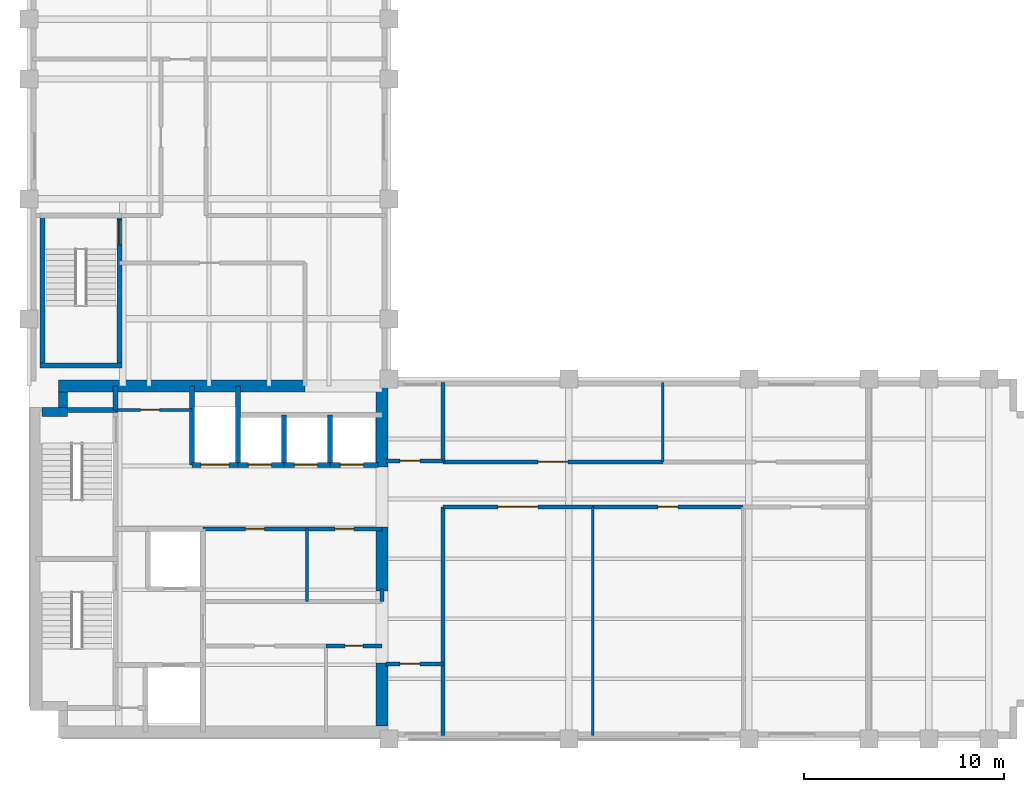
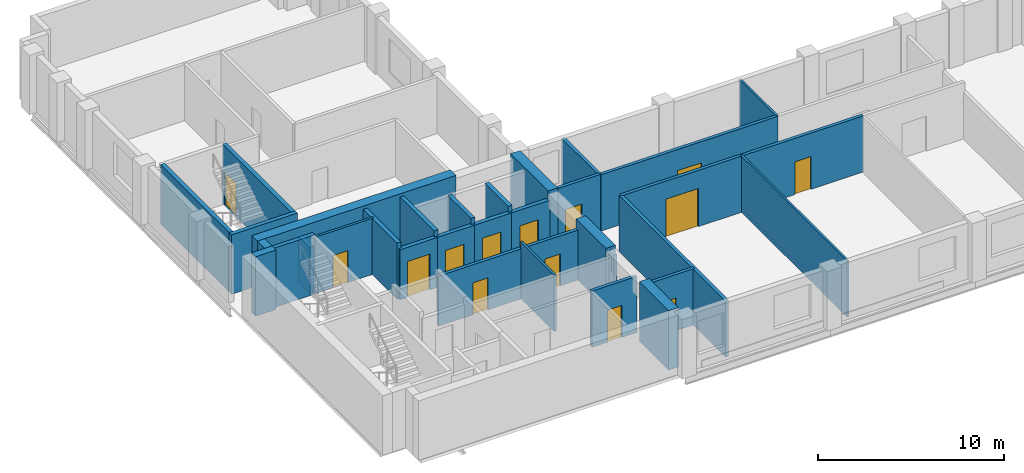
# One storey, part 3 of 6: 34 walls, 14 doors, 14 openings.
"""IFC4 building model written with IfcOpenShell, lengths in metres."""

from ifc_helpers import new_model, si_unit, direction, frame, frame_2d, origin, place, context, subcontext, project, spatial, rectangle, extrude, material, layer, layer_set, type_object, element, fill, save


model = new_model("IFC4")

# Units and contexts
model_context = context("Model", 3, precision=1e-05, world=origin(), true_north=direction((0.0, 1.0)))
body_context = subcontext(model_context, "Body", "Model", "MODEL_VIEW")
ifc_project = project(units=[si_unit("LENGTHUNIT", "METRE"), si_unit("AREAUNIT", "SQUARE_METRE"), si_unit("VOLUMEUNIT", "CUBIC_METRE"), si_unit("PLANEANGLEUNIT", "RADIAN"), si_unit("MASSUNIT", "GRAM", prefix="KILO")], contexts=[model_context])

# Site, building, storey
site_placement = place(None, origin())
site = spatial("IfcSite", under=ifc_project, at=site_placement, CompositionType="ELEMENT")
building_placement = place(site_placement, origin())
building = spatial("IfcBuilding", under=site, at=building_placement, Name="Mawjdan Bourse Tower", CompositionType="ELEMENT")
storey_placement = place(building_placement, frame((0.0, 0.0, 183.89990234375)))
storey = spatial("IfcBuildingStorey", under=building, at=storey_placement, Name="L44", CompositionType="ELEMENT", Elevation=183.89990234375)

# Wall, opening, door
ifc_material_1 = material(Name="Gypsum Fireboard Assembly")
ifc_layer_1 = layer(ifc_material_1, 0.199951171875)
ifc_layer_set_1 = layer_set([ifc_layer_1], Name="Gypsum Fireboard Assembly")
wall_type_1 = type_object("IfcWallType", Name="WL-CMP-200", PredefinedType="PARTITIONING", material=ifc_layer_set_1)
wall_1_placement = place(storey_placement, frame((20.85009765625, 7.659912109375, 0.0), z_axis=(0.0, 0.0, 1.0), x_axis=(1.0, 0.0, 0.0)))
wall_1 = element("IfcWall", 1, at=wall_1_placement, inside=storey, type_object=wall_type_1, Name="L44 Telemetry Control Room North Wall", PredefinedType="PARTITIONING", context=body_context, shape_type="SweptSolid", body=[
    extrude(rectangle(XDim=2.7998046875, YDim=0.199951171875, at=frame_2d((1.39990234375, 0.0))), origin(), (0.0, 0.0, 1.0), 3.690185546875),
])
opening_1_placement = place(wall_1_placement, frame((0.949951171875, 0.0, 0.0)))
opening_1 = element("IfcOpeningElement", 2, at=opening_1_placement, cuts=wall_1, Name="Opening D-L44-14", PredefinedType="OPENING", context=body_context, shape_type="SweptSolid", body=[
    extrude(rectangle(XDim=0.89990234375, YDim=2.10009765625, at=frame_2d((0.449951171875, 1.050048828125))), frame((0.0, 0.10986328125, 0.0), z_axis=(0.0, -1.0, 0.0), x_axis=(1.0, 0.0, 0.0)), (0.0, 0.0, 1.0), 0.219970703125),
])
ifc_material_2 = material(Name="Fire-Rated Steel Access Leaf", Category="steel")
door_type_1 = type_object("IfcDoorType", Name="FD-RSR-0900", OperationType="NOTDEFINED", PredefinedType="TRAPDOOR", material=ifc_material_2)
door_1_placement = place(opening_1_placement, origin())
door_1 = element("IfcDoor", 3, at=door_1_placement, inside=storey, type_object=door_type_1, Name="L44 Telemetry Control Room Door D-L44-14", OperationType="SINGLE_SWING_RIGHT", OverallHeight=2.10009765625, OverallWidth=0.89990234375, PredefinedType="TRAPDOOR", context=body_context, shape_type="SweptSolid", body=[
    extrude(rectangle(XDim=0.89990234375, YDim=2.10009765625, at=frame_2d((0.449951171875, 1.050048828125))), frame((0.0, 0.02490234375, 0.0), z_axis=(0.0, -1.0, 0.0), x_axis=(1.0, 0.0, 0.0)), (0.0, 0.0, 1.0), 0.050048828125),
])
fill(opening_1, door_1)

# Wall
wall_2_placement = place(storey_placement, frame((23.64990234375, 9.8798828125, 0.0), z_axis=(0.0, 0.0, 1.0), x_axis=(0.0, 1.0, 0.0)))
element("IfcWall", 4, at=wall_2_placement, inside=storey, type_object=wall_type_1, Name="L44 Core Restroom East Return", PredefinedType="PARTITIONING", context=body_context, shape_type="SweptSolid", body=[
    extrude(rectangle(XDim=0.6201171875, YDim=0.199951171875, at=frame_2d((0.31005859375, 0.0))), origin(), (0.0, 0.0, 1.0), 3.690185546875),
])

# Wall, opening, door
wall_3_placement = place(storey_placement, frame((14.699951171875, 13.5, 0.0), z_axis=(0.0, 0.0, 1.0), x_axis=(1.0, 0.0, 0.0)))
wall_3 = element("IfcWall", 5, at=wall_3_placement, inside=storey, type_object=wall_type_1, Name="L44 Accessible WC North Wall", PredefinedType="PARTITIONING", context=body_context, shape_type="SweptSolid", body=[
    extrude(rectangle(XDim=5.199951171875, YDim=0.199951171875, at=frame_2d((2.60009765625, 0.0))), origin(), (0.0, 0.0, 1.0), 3.283203125),
])
opening_2_placement = place(wall_3_placement, frame((2.125, 0.0, 0.0)))
opening_2 = element("IfcOpeningElement", 6, at=opening_2_placement, cuts=wall_3, Name="Opening D-L44-15", PredefinedType="OPENING", context=body_context, shape_type="SweptSolid", body=[
    extrude(rectangle(XDim=0.949951171875, YDim=2.10009765625, at=frame_2d((0.47509765625, 1.050048828125))), frame((0.0, 0.10986328125, 0.0), z_axis=(0.0, -1.0, 0.0), x_axis=(1.0, 0.0, 0.0)), (0.0, 0.0, 1.0), 0.219970703125),
])
ifc_material_3 = material(Name="Moisture-Resistant Laminate Timber", Category="wood")
door_type_2 = type_object("IfcDoorType", Name="DR-WET-0950", OperationType="NOTDEFINED", PredefinedType="DOOR", material=ifc_material_3)
door_2_placement = place(opening_2_placement, origin())
door_2 = element("IfcDoor", 7, at=door_2_placement, inside=storey, type_object=door_type_2, Name="L44 Accessible WC Door D-L44-15", OperationType="SINGLE_SWING_LEFT", OverallHeight=2.10009765625, OverallWidth=0.949951171875, PredefinedType="DOOR", context=body_context, shape_type="SweptSolid", body=[
    extrude(rectangle(XDim=0.949951171875, YDim=2.10009765625, at=frame_2d((0.47509765625, 1.050048828125))), frame((0.0, 0.02490234375, 0.0), z_axis=(0.0, -1.0, 0.0), x_axis=(1.0, 0.0, 0.0)), (0.0, 0.0, 1.0), 0.050048828125),
])
fill(opening_2, door_2)

wall_4_placement = place(storey_placement, frame((19.89990234375, 13.5, 0.0), z_axis=(0.0, 0.0, 1.0), x_axis=(1.0, 0.0, 0.0)))
wall_4 = element("IfcWall", 8, at=wall_4_placement, inside=storey, type_object=wall_type_1, Name="L44 Staff Wellness & Quiet Room North Wall", PredefinedType="PARTITIONING", context=body_context, shape_type="SweptSolid", body=[
    extrude(rectangle(XDim=3.75, YDim=0.199951171875, at=frame_2d((1.875, 0.0))), origin(), (0.0, 0.0, 1.0), 3.283203125),
])
opening_3_placement = place(wall_4_placement, frame((1.39990234375, 0.0, 0.0)))
opening_3 = element("IfcOpeningElement", 9, at=opening_3_placement, cuts=wall_4, Name="Opening D-L44-16", PredefinedType="OPENING", context=body_context, shape_type="SweptSolid", body=[
    extrude(rectangle(XDim=0.949951171875, YDim=2.10009765625, at=frame_2d((0.47509765625, 1.050048828125))), frame((0.0, 0.10986328125, 0.0), z_axis=(0.0, -1.0, 0.0), x_axis=(1.0, 0.0, 0.0)), (0.0, 0.0, 1.0), 0.219970703125),
])
door_3_placement = place(opening_3_placement, origin())
door_3 = element("IfcDoor", 10, at=door_3_placement, inside=storey, type_object=door_type_2, Name="L44 Staff Wellness & Quiet Room Door D-L44-16", OperationType="SINGLE_SWING_RIGHT", OverallHeight=2.10009765625, OverallWidth=0.949951171875, PredefinedType="DOOR", context=body_context, shape_type="SweptSolid", body=[
    extrude(rectangle(XDim=0.949951171875, YDim=2.10009765625, at=frame_2d((0.47509765625, 1.050048828125))), frame((0.0, 0.02490234375, 0.0), z_axis=(0.0, -1.0, 0.0), x_axis=(1.0, 0.0, 0.0)), (0.0, 0.0, 1.0), 0.050048828125),
])
fill(opening_3, door_3)

wall_5_placement = place(storey_placement, frame((23.85009765625, 6.75, 0.0), z_axis=(0.0, 0.0, 1.0), x_axis=(1.0, 0.0, 0.0)))
wall_5 = element("IfcWall", 11, at=wall_5_placement, inside=storey, type_object=wall_type_1, Name="L44 West Pocket North Wall", PredefinedType="PARTITIONING", context=body_context, shape_type="SweptSolid", body=[
    extrude(rectangle(XDim=2.849853515625, YDim=0.199951171875, at=frame_2d((1.4248046875, 0.0))), origin(), (0.0, 0.0, 1.0), 3.690185546875),
])
opening_4_placement = place(wall_5_placement, frame((0.699951171875, 0.0, 0.0)))
opening_4 = element("IfcOpeningElement", 12, at=opening_4_placement, cuts=wall_5, Name="Opening D-L44-19", PredefinedType="OPENING", context=body_context, shape_type="SweptSolid", body=[
    extrude(rectangle(XDim=1.0, YDim=2.14990234375, at=frame_2d((0.5, 1.074951171875))), frame((0.0, 0.10986328125, 0.0), z_axis=(0.0, -1.0, 0.0), x_axis=(1.0, 0.0, 0.0)), (0.0, 0.0, 1.0), 0.219970703125),
])
ifc_material_4 = material(Name="Hardwood Acoustic Leaf", Category="wood")
door_type_3 = type_object("IfcDoorType", Name="DR-OFC-1000", OperationType="NOTDEFINED", PredefinedType="DOOR", material=ifc_material_4)
door_4_placement = place(opening_4_placement, origin())
door_4 = element("IfcDoor", 13, at=door_4_placement, inside=storey, type_object=door_type_3, Name="L44 West Pocket Office Door D-L44-19", OperationType="SINGLE_SWING_LEFT", OverallHeight=2.14990234375, OverallWidth=1.0, PredefinedType="DOOR", context=body_context, shape_type="SweptSolid", body=[
    extrude(rectangle(XDim=1.0, YDim=2.14990234375, at=frame_2d((0.5, 1.074951171875))), frame((0.0, 0.02490234375, 0.0), z_axis=(0.0, -1.0, 0.0), x_axis=(1.0, 0.0, 0.0)), (0.0, 0.0, 1.0), 0.050048828125),
])
fill(opening_4, door_4)

wall_6_placement = place(storey_placement, frame((23.85009765625, 16.89990234375, 0.0), z_axis=(0.0, 0.0, 1.0), x_axis=(1.0, 0.0, 0.0)))
wall_6 = element("IfcWall", 14, at=wall_6_placement, inside=storey, type_object=wall_type_1, Name="L44 West North Pocket Wall", PredefinedType="PARTITIONING", context=body_context, shape_type="SweptSolid", body=[
    extrude(rectangle(XDim=2.849853515625, YDim=0.199951171875, at=frame_2d((1.4248046875, 0.0))), origin(), (0.0, 0.0, 1.0), 3.690185546875),
])
opening_5_placement = place(wall_6_placement, frame((0.699951171875, 0.0, 0.0)))
opening_5 = element("IfcOpeningElement", 15, at=opening_5_placement, cuts=wall_6, Name="Opening D-L44-20", PredefinedType="OPENING", context=body_context, shape_type="SweptSolid", body=[
    extrude(rectangle(XDim=1.0, YDim=2.14990234375, at=frame_2d((0.5, 1.074951171875))), frame((0.0, 0.10986328125, 0.0), z_axis=(0.0, -1.0, 0.0), x_axis=(1.0, 0.0, 0.0)), (0.0, 0.0, 1.0), 0.219970703125),
])
door_5_placement = place(opening_5_placement, origin())
door_5 = element("IfcDoor", 16, at=door_5_placement, inside=storey, type_object=door_type_3, Name="L44 West North Pocket Door D-L44-20", OperationType="SINGLE_SWING_RIGHT", OverallHeight=2.14990234375, OverallWidth=1.0, PredefinedType="DOOR", context=body_context, shape_type="SweptSolid", body=[
    extrude(rectangle(XDim=1.0, YDim=2.14990234375, at=frame_2d((0.5, 1.074951171875))), frame((0.0, 0.02490234375, 0.0), z_axis=(0.0, -1.0, 0.0), x_axis=(1.0, 0.0, 0.0)), (0.0, 0.0, 1.0), 0.050048828125),
])
fill(opening_5, door_5)

# Walls
wall_7_placement = place(storey_placement, frame((26.699951171875, 3.179931640625, 0.0), z_axis=(0.0, 0.0, 1.0), x_axis=(0.0, 1.0, 0.0)))
element("IfcWall", 17, at=wall_7_placement, inside=storey, type_object=wall_type_1, Name="L44 Vestibule South East Wall", PredefinedType="PARTITIONING", context=body_context, shape_type="SweptSolid", body=[
    extrude(rectangle(XDim=11.420166015625, YDim=0.199951171875, at=frame_2d((5.7099609375, 0.0))), origin(), (0.0, 0.0, 1.0), 3.690185546875),
])
wall_8_placement = place(storey_placement, frame((26.699951171875, 16.85009765625, 0.0), z_axis=(0.0, 0.0, 1.0), x_axis=(0.0, 1.0, 0.0)))
element("IfcWall", 18, at=wall_8_placement, inside=storey, type_object=wall_type_1, Name="L44 Vestibule North East Wall", PredefinedType="PARTITIONING", context=body_context, shape_type="SweptSolid", body=[
    extrude(rectangle(XDim=3.969970703125, YDim=0.199951171875, at=frame_2d((1.98486328125, 0.0))), origin(), (0.0, 0.0, 1.0), 3.690185546875),
])

# Wall, opening, door
wall_9_placement = place(storey_placement, frame((26.699951171875, 14.60009765625, 0.0), z_axis=(0.0, 0.0, 1.0), x_axis=(1.0, 0.0, 0.0)))
wall_9 = element("IfcWall", 19, at=wall_9_placement, inside=storey, type_object=wall_type_1, Name="L44 Asset Allocation Hall Corridor Wall", PredefinedType="PARTITIONING", context=body_context, shape_type="SweptSolid", body=[
    extrude(rectangle(XDim=7.5, YDim=0.199951171875, at=frame_2d((3.75, 0.0))), origin(), (0.0, 0.0, 1.0), 3.690185546875),
])
opening_6_placement = place(wall_9_placement, frame((2.75, 0.0, 0.0)))
opening_6 = element("IfcOpeningElement", 20, at=opening_6_placement, cuts=wall_9, Name="Opening D-L44-21", PredefinedType="OPENING", context=body_context, shape_type="SweptSolid", body=[
    extrude(rectangle(XDim=2.0, YDim=2.5, at=frame_2d((1.0, 1.25))), frame((0.0, 0.10986328125, 0.0), z_axis=(0.0, -1.0, 0.0), x_axis=(1.0, 0.0, 0.0)), (0.0, 0.0, 1.0), 0.219970703125),
])
ifc_material_5 = material(Name="Acoustic Veneered Timber", Category="wood")
door_type_4 = type_object("IfcDoorType", Name="DR-ASM-2000", OperationType="DOUBLE_DOOR_SINGLE_SWING", PredefinedType="DOOR", material=ifc_material_5)
door_6_placement = place(opening_6_placement, origin())
door_6 = element("IfcDoor", 21, at=door_6_placement, inside=storey, type_object=door_type_4, Name="L44 Asset Allocation Hall Door D-L44-21", OperationType="DOUBLE_DOOR_SINGLE_SWING", OverallHeight=2.5, OverallWidth=2.0, PredefinedType="DOOR", context=body_context, shape_type="SweptSolid", body=[
    extrude(rectangle(XDim=2.0, YDim=2.5, at=frame_2d((1.0, 1.25))), frame((0.0, 0.02490234375, 0.0), z_axis=(0.0, -1.0, 0.0), x_axis=(1.0, 0.0, 0.0)), (0.0, 0.0, 1.0), 0.050048828125),
])
fill(opening_6, door_6)

wall_10_placement = place(storey_placement, frame((34.199951171875, 14.60009765625, 0.0), z_axis=(0.0, 0.0, 1.0), x_axis=(1.0, 0.0, 0.0)))
wall_10 = element("IfcWall", 22, at=wall_10_placement, inside=storey, type_object=wall_type_1, Name="L44 Executive Office Corridor Wall", PredefinedType="PARTITIONING", context=body_context, shape_type="SweptSolid", body=[
    extrude(rectangle(XDim=7.5, YDim=0.199951171875, at=frame_2d((3.75, 0.0))), origin(), (0.0, 0.0, 1.0), 3.690185546875),
])
opening_7_placement = place(wall_10_placement, frame((3.25, 0.0, 0.0)))
opening_7 = element("IfcOpeningElement", 23, at=opening_7_placement, cuts=wall_10, Name="Opening D-L44-22", PredefinedType="OPENING", context=body_context, shape_type="SweptSolid", body=[
    extrude(rectangle(XDim=1.0, YDim=2.14990234375, at=frame_2d((0.5, 1.074951171875))), frame((0.0, 0.10986328125, 0.0), z_axis=(0.0, -1.0, 0.0), x_axis=(1.0, 0.0, 0.0)), (0.0, 0.0, 1.0), 0.219970703125),
])
door_7_placement = place(opening_7_placement, origin())
door_7 = element("IfcDoor", 24, at=door_7_placement, inside=storey, type_object=door_type_3, Name="L44 Executive Office Door D-L44-22", OperationType="SINGLE_SWING_LEFT", OverallHeight=2.14990234375, OverallWidth=1.0, PredefinedType="DOOR", context=body_context, shape_type="SweptSolid", body=[
    extrude(rectangle(XDim=1.0, YDim=2.14990234375, at=frame_2d((0.5, 1.074951171875))), frame((0.0, 0.02490234375, 0.0), z_axis=(0.0, -1.0, 0.0), x_axis=(1.0, 0.0, 0.0)), (0.0, 0.0, 1.0), 0.050048828125),
])
fill(opening_7, door_7)

wall_11_placement = place(storey_placement, frame((26.699951171875, 16.85009765625, 0.0), z_axis=(0.0, 0.0, 1.0), x_axis=(1.0, 0.0, 0.0)))
wall_11 = element("IfcWall", 25, at=wall_11_placement, inside=storey, type_object=wall_type_1, Name="L44 Conference Room Corridor Wall", PredefinedType="PARTITIONING", context=body_context, shape_type="SweptSolid", body=[
    extrude(rectangle(XDim=11.0, YDim=0.199951171875, at=frame_2d((5.5, 0.0))), origin(), (0.0, 0.0, 1.0), 3.690185546875),
])
opening_8_placement = place(wall_11_placement, frame((4.75, 0.0, 0.0)))
opening_8 = element("IfcOpeningElement", 26, at=opening_8_placement, cuts=wall_11, Name="Opening D-L44-24", PredefinedType="OPENING", context=body_context, shape_type="SweptSolid", body=[
    extrude(rectangle(XDim=1.5, YDim=2.300048828125, at=frame_2d((0.75, 1.14990234375))), frame((0.0, 0.10986328125, 0.0), z_axis=(0.0, -1.0, 0.0), x_axis=(1.0, 0.0, 0.0)), (0.0, 0.0, 1.0), 0.219970703125),
])
ifc_material_6 = material(Name="Acoustic Glazed Timber", Category="wood")
door_type_5 = type_object("IfcDoorType", Name="DR-CNF-1500", OperationType="DOUBLE_DOOR_SINGLE_SWING", PredefinedType="DOOR", material=ifc_material_6)
door_8_placement = place(opening_8_placement, origin())
door_8 = element("IfcDoor", 27, at=door_8_placement, inside=storey, type_object=door_type_5, Name="L44 Conference Room Door D-L44-24", OperationType="DOUBLE_DOOR_SINGLE_SWING", OverallHeight=2.300048828125, OverallWidth=1.5, PredefinedType="DOOR", context=body_context, shape_type="SweptSolid", body=[
    extrude(rectangle(XDim=1.5, YDim=2.300048828125, at=frame_2d((0.75, 1.14990234375))), frame((0.0, 0.02490234375, 0.0), z_axis=(0.0, -1.0, 0.0), x_axis=(1.0, 0.0, 0.0)), (0.0, 0.0, 1.0), 0.050048828125),
])
fill(opening_8, door_8)

# Walls
ifc_material_7 = material(Name="Concrete C60/75", Category="concrete")
ifc_layer_2 = layer(ifc_material_7, 0.449951171875)
ifc_layer_set_2 = layer_set([ifc_layer_2], Name="Concrete C60/75")
wall_type_2 = type_object("IfcWallType", Name="WL-CORE-450", PredefinedType="SHEAR", material=ifc_layer_set_2)
wall_12_placement = place(storey_placement, frame((6.64990234375, 19.35009765625, 0.0), z_axis=(0.0, 0.0, 1.0), x_axis=(1.0, 0.0, 0.0)))
element("IfcWall", 28, at=wall_12_placement, inside=storey, type_object=wall_type_2, Name="L44 Rear Core Shear Wall NW-X", PredefinedType="SHEAR", context=body_context, shape_type="SweptSolid", body=[
    extrude(rectangle(XDim=1.275146484375, YDim=0.449951171875, at=frame_2d((0.6376953125, 0.0))), origin(), (0.0, 0.0, 1.0), 3.900146484375),
])
wall_13_placement = place(storey_placement, frame((7.699951171875, 19.574951171875, 0.0), z_axis=(0.0, 0.0, 1.0), x_axis=(0.0, 1.0, 0.0)))
element("IfcWall", 29, at=wall_13_placement, inside=storey, type_object=wall_type_2, Name="L44 Rear Core Shear Wall NW-Y", PredefinedType="SHEAR", context=body_context, shape_type="SweptSolid", body=[
    extrude(rectangle(XDim=0.775146484375, YDim=0.449951171875, at=frame_2d((0.3876953125, 0.0))), origin(), (0.0, 0.0, 1.0), 3.900146484375),
])
ifc_material_8 = material(Name="Concrete C70/85", Category="concrete")
ifc_layer_3 = layer(ifc_material_8, 0.60009765625)
ifc_layer_set_3 = layer_set([ifc_layer_3], Name="Concrete C70/85")
wall_type_3 = type_object("IfcWallType", Name="WL-CORE-600", PredefinedType="SHEAR", material=ifc_layer_set_3)
wall_14_placement = place(storey_placement, frame((7.47509765625, 20.64990234375, 0.0), z_axis=(0.0, 0.0, 1.0), x_axis=(1.0, 0.0, 0.0)))
element("IfcWall", 30, at=wall_14_placement, inside=storey, type_object=wall_type_3, Name="L44 Rear Core Shear Wall N", PredefinedType="SHEAR", context=body_context, shape_type="SweptSolid", body=[
    extrude(rectangle(XDim=12.324951171875, YDim=0.60009765625, at=frame_2d((6.16259765625, 0.0))), origin(), (0.0, 0.0, 1.0), 3.900146484375),
])
wall_15_placement = place(storey_placement, frame((23.64990234375, 3.64990234375, 0.0), z_axis=(0.0, 0.0, 1.0), x_axis=(0.0, 1.0, 0.0)))
element("IfcWall", 31, at=wall_15_placement, inside=storey, type_object=wall_type_3, Name="L44 Rear Core Shear Wall E1", PredefinedType="SHEAR", context=body_context, shape_type="SweptSolid", body=[
    extrude(rectangle(XDim=3.150146484375, YDim=0.60009765625, at=frame_2d((1.5751953125, 0.0))), origin(), (0.0, 0.0, 1.0), 3.900146484375),
])
wall_16_placement = place(storey_placement, frame((23.64990234375, 10.39990234375, 0.0), z_axis=(0.0, 0.0, 1.0), x_axis=(0.0, 1.0, 0.0)))
element("IfcWall", 32, at=wall_16_placement, inside=storey, type_object=wall_type_3, Name="L44 Rear Core Shear Wall E2", PredefinedType="SHEAR", context=body_context, shape_type="SweptSolid", body=[
    extrude(rectangle(XDim=3.2001953125, YDim=0.60009765625, at=frame_2d((1.60009765625, 0.0))), origin(), (0.0, 0.0, 1.0), 3.900146484375),
])
wall_17_placement = place(storey_placement, frame((23.64990234375, 16.60009765625, 0.0), z_axis=(0.0, 0.0, 1.0), x_axis=(0.0, 1.0, 0.0)))
element("IfcWall", 33, at=wall_17_placement, inside=storey, type_object=wall_type_3, Name="L44 Rear Core Shear Wall E3", PredefinedType="SHEAR", context=body_context, shape_type="SweptSolid", body=[
    extrude(rectangle(XDim=4.0498046875, YDim=0.60009765625, at=frame_2d((2.02490234375, 0.0))), origin(), (0.0, 0.0, 1.0), 3.900146484375),
])
ifc_material_9 = material(Name="Gypsum Partition")
ifc_layer_4 = layer(ifc_material_9, 0.125)
ifc_layer_set_4 = layer_set([ifc_layer_4], Name="Gypsum Partition")
wall_type_4 = type_object("IfcWallType", Name="WL-PRT-125", PredefinedType="PARTITIONING", material=ifc_layer_set_4)
wall_18_placement = place(storey_placement, frame((34.199951171875, 3.179931640625, 0.0), z_axis=(0.0, 0.0, 1.0), x_axis=(0.0, 1.0, 0.0)))
element("IfcWall", 34, at=wall_18_placement, inside=storey, type_object=wall_type_4, Name="L44 Executive Office Partition", PredefinedType="PARTITIONING", context=body_context, shape_type="SweptSolid", body=[
    extrude(rectangle(XDim=11.420166015625, YDim=0.125, at=frame_2d((5.7099609375, 0.0))), origin(), (0.0, 0.0, 1.0), 3.690185546875),
])
wall_19_placement = place(storey_placement, frame((37.699951171875, 16.85009765625, 0.0), z_axis=(0.0, 0.0, 1.0), x_axis=(0.0, 1.0, 0.0)))
element("IfcWall", 35, at=wall_19_placement, inside=storey, type_object=wall_type_4, Name="L44 Legal Counsel Library Partition", PredefinedType="PARTITIONING", context=body_context, shape_type="SweptSolid", body=[
    extrude(rectangle(XDim=3.969970703125, YDim=0.125, at=frame_2d((1.98486328125, 0.0))), origin(), (0.0, 0.0, 1.0), 3.690185546875),
])
ifc_material_10 = material(Name="Gypsum Acoustic Partition")
ifc_layer_5 = layer(ifc_material_10, 0.14990234375)
ifc_layer_set_5 = layer_set([ifc_layer_5], Name="Gypsum Acoustic Partition")
wall_type_5 = type_object("IfcWallType", Name="WL-PRT-150", PredefinedType="PARTITIONING", material=ifc_layer_set_5)
wall_20_placement = place(storey_placement, frame((19.89990234375, 9.8798828125, 0.0), z_axis=(0.0, 0.0, 1.0), x_axis=(0.0, 1.0, 0.0)))
element("IfcWall", 36, at=wall_20_placement, inside=storey, type_object=wall_type_5, Name="L44 Staff Wellness & Quiet Room Split Wall", PredefinedType="PARTITIONING", context=body_context, shape_type="SweptSolid", body=[
    extrude(rectangle(XDim=3.6201171875, YDim=0.14990234375, at=frame_2d((1.81005859375, 0.0))), origin(), (0.0, 0.0, 1.0), 3.690185546875),
])

# Wall, opening, door
wall_21_placement = place(storey_placement, frame((10.330078125, 19.449951171875, 0.0), z_axis=(0.0, 0.0, 1.0), x_axis=(1.0, 0.0, 0.0)))
wall_21 = element("IfcWall", 37, at=wall_21_placement, inside=storey, type_object=wall_type_5, Name="L44 Housekeeping South Wall", PredefinedType="PARTITIONING", context=body_context, shape_type="SweptSolid", body=[
    extrude(rectangle(XDim=3.81982421875, YDim=0.14990234375, at=frame_2d((1.909912109375, 0.0))), origin(), (0.0, 0.0, 1.0), 3.690185546875),
])
opening_9_placement = place(wall_21_placement, frame((1.25, 0.0, 0.0)))
opening_9 = element("IfcOpeningElement", 38, at=opening_9_placement, cuts=wall_21, Name="Opening D-L44-17", PredefinedType="OPENING", context=body_context, shape_type="SweptSolid", body=[
    extrude(rectangle(XDim=0.949951171875, YDim=2.10009765625, at=frame_2d((0.47509765625, 1.050048828125))), frame((0.0, 0.0849609375, 0.0), z_axis=(0.0, -1.0, 0.0), x_axis=(1.0, 0.0, 0.0)), (0.0, 0.0, 1.0), 0.169921875),
])
door_9_placement = place(opening_9_placement, origin())
door_9 = element("IfcDoor", 39, at=door_9_placement, inside=storey, type_object=door_type_2, Name="L44 Housekeeping Closet Door D-L44-17", OperationType="SINGLE_SWING_LEFT", OverallHeight=2.10009765625, OverallWidth=0.949951171875, PredefinedType="DOOR", context=body_context, shape_type="SweptSolid", body=[
    extrude(rectangle(XDim=0.949951171875, YDim=2.10009765625, at=frame_2d((0.47509765625, 1.050048828125))), frame((0.0, 0.02490234375, 0.0), z_axis=(0.0, -1.0, 0.0), x_axis=(1.0, 0.0, 0.0)), (0.0, 0.0, 1.0), 0.050048828125),
])
fill(opening_9, door_9)

# Wall
ifc_material_11 = material(Name="Concrete C50/60", Category="concrete")
ifc_layer_6 = layer(ifc_material_11, 0.25)
ifc_layer_set_6 = layer_set([ifc_layer_6], Name="Concrete C50/60")
wall_type_6 = type_object("IfcWallType", Name="WL-SHFT-250", PredefinedType="PARTITIONING", material=ifc_layer_set_6)
wall_22_placement = place(storey_placement, frame((10.330078125, 19.449951171875, 0.0), z_axis=(0.0, 0.0, 1.0), x_axis=(0.0, 1.0, 0.0)))
element("IfcWall", 40, at=wall_22_placement, inside=storey, type_object=wall_type_6, Name="L44 NW Riser East Wall", PredefinedType="PARTITIONING", context=body_context, shape_type="SweptSolid", body=[
    extrude(rectangle(XDim=1.199951171875, YDim=0.25, at=frame_2d((0.60009765625, 0.0))), origin(), (0.0, 0.0, 1.0), 3.072998046875),
])

# Wall, opening, door
wall_23_placement = place(storey_placement, frame((14.14990234375, 16.699951171875, 0.0), z_axis=(0.0, 0.0, 1.0), x_axis=(1.0, 0.0, 0.0)))
wall_23 = element("IfcWall", 41, at=wall_23_placement, inside=storey, type_object=wall_type_6, Name="L44 SVL-01 Front Shaft Wall", PredefinedType="PARTITIONING", context=body_context, shape_type="SweptSolid", body=[
    extrude(rectangle(XDim=2.300048828125, YDim=0.25, at=frame_2d((1.14990234375, 0.0))), origin(), (0.0, 0.0, 1.0), 3.283203125),
])
opening_10_placement = place(wall_23_placement, frame((0.449951171875, 0.0, 0.0)))
opening_10 = element("IfcOpeningElement", 42, at=opening_10_placement, cuts=wall_23, Name="Opening LD-L44-09", PredefinedType="OPENING", context=body_context, shape_type="SweptSolid", body=[
    extrude(rectangle(XDim=1.39990234375, YDim=2.35009765625, at=frame_2d((0.699951171875, 1.175048828125))), frame((0.0, 0.135009765625, 0.0), z_axis=(0.0, -1.0, 0.0), x_axis=(1.0, 0.0, 0.0)), (0.0, 0.0, 1.0), 0.27001953125),
])
ifc_material_12 = material(Name="Heavy-Duty Stainless Steel", Category="steel")
door_type_6 = type_object("IfcDoorType", Name="LD-SRV-1400", OperationType="DOUBLE_DOOR_SLIDING", PredefinedType="DOOR", material=ifc_material_12)
door_10_placement = place(opening_10_placement, origin())
door_10 = element("IfcDoor", 43, at=door_10_placement, inside=storey, type_object=door_type_6, Name="L44 Service Lift SVL-01 Landing Door LD-L44-09", OperationType="DOUBLE_DOOR_SLIDING", OverallHeight=2.35009765625, OverallWidth=1.39990234375, PredefinedType="DOOR", context=body_context, shape_type="SweptSolid", body=[
    extrude(rectangle(XDim=1.39990234375, YDim=2.35009765625, at=frame_2d((0.699951171875, 1.175048828125))), frame((0.0, 0.02490234375, 0.0), z_axis=(0.0, -1.0, 0.0), x_axis=(1.0, 0.0, 0.0)), (0.0, 0.0, 1.0), 0.050048828125),
])
fill(opening_10, door_10)

# Walls
for number, where, z_axis, x_axis, name in (
    (44, (14.14990234375, 16.699951171875, 0.0), (0.0, 0.0, 1.0), (0.0, 1.0, 0.0), "L44 SVL-01 West Shaft Wall"),
    (45, (16.449951171875, 16.699951171875, 0.0), (0.0, 0.0, 1.0), (0.0, 1.0, 0.0), "L44 SVL-01 East Shaft Wall"),
):
    element("IfcWall", number, at=place(storey_placement, frame(where, z_axis=z_axis, x_axis=x_axis)), inside=storey, type_object=wall_type_6, Name=name, PredefinedType="PARTITIONING", context=body_context, shape_type="SweptSolid", body=[
        extrude(rectangle(XDim=3.949951171875, YDim=0.25, at=frame_2d((1.97509765625, 0.0))), origin(), (0.0, 0.0, 1.0), 3.690185546875),
    ])

# Wall, opening, door
wall_24_placement = place(storey_placement, frame((16.449951171875, 16.699951171875, 0.0), z_axis=(0.0, 0.0, 1.0), x_axis=(1.0, 0.0, 0.0)))
wall_24 = element("IfcWall", 46, at=wall_24_placement, inside=storey, type_object=wall_type_6, Name="L44 PH-01 Front Wall", PredefinedType="PARTITIONING", context=body_context, shape_type="SweptSolid", body=[
    extrude(rectangle(XDim=2.300048828125, YDim=0.25, at=frame_2d((1.14990234375, 0.0))), origin(), (0.0, 0.0, 1.0), 3.283203125),
])
opening_11_placement = place(wall_24_placement, frame((0.52001953125, 0.0, 0.0)))
opening_11 = element("IfcOpeningElement", 47, at=opening_11_placement, cuts=wall_24, Name="Opening LD-L44-10", PredefinedType="OPENING", context=body_context, shape_type="SweptSolid", body=[
    extrude(rectangle(XDim=1.14990234375, YDim=2.25, at=frame_2d((0.574951171875, 1.125))), frame((0.0, 0.135009765625, 0.0), z_axis=(0.0, -1.0, 0.0), x_axis=(1.0, 0.0, 0.0)), (0.0, 0.0, 1.0), 0.27001953125),
])
ifc_material_13 = material(Name="Brushed Stainless Steel", Category="steel")
door_type_7 = type_object("IfcDoorType", Name="LD-PAS-1150", OperationType="DOUBLE_DOOR_SLIDING", PredefinedType="DOOR", material=ifc_material_13)
door_11_placement = place(opening_11_placement, origin())
door_11 = element("IfcDoor", 48, at=door_11_placement, inside=storey, type_object=door_type_7, Name="L44 Lift PH-01 Landing Door LD-L44-10", OperationType="DOUBLE_DOOR_SLIDING", OverallHeight=2.25, OverallWidth=1.14990234375, PredefinedType="DOOR", context=body_context, shape_type="SweptSolid", body=[
    extrude(rectangle(XDim=1.14990234375, YDim=2.25, at=frame_2d((0.574951171875, 1.125))), frame((0.0, 0.02490234375, 0.0), z_axis=(0.0, -1.0, 0.0), x_axis=(1.0, 0.0, 0.0)), (0.0, 0.0, 1.0), 0.050048828125),
])
fill(opening_11, door_11)

# Wall
wall_25_placement = place(storey_placement, frame((18.75, 16.699951171875, 0.0), z_axis=(0.0, 0.0, 1.0), x_axis=(0.0, 1.0, 0.0)))
element("IfcWall", 49, at=wall_25_placement, inside=storey, type_object=wall_type_6, Name="L44 PH-01 Divider Wall", PredefinedType="PARTITIONING", context=body_context, shape_type="SweptSolid", body=[
    extrude(rectangle(XDim=2.5, YDim=0.25, at=frame_2d((1.25, 0.0))), origin(), (0.0, 0.0, 1.0), 3.690185546875),
])

# Wall, opening, door
wall_26_placement = place(storey_placement, frame((18.75, 16.699951171875, 0.0), z_axis=(0.0, 0.0, 1.0), x_axis=(1.0, 0.0, 0.0)))
wall_26 = element("IfcWall", 50, at=wall_26_placement, inside=storey, type_object=wall_type_6, Name="L44 PH-02 Front Wall", PredefinedType="PARTITIONING", context=body_context, shape_type="SweptSolid", body=[
    extrude(rectangle(XDim=2.300048828125, YDim=0.25, at=frame_2d((1.14990234375, 0.0))), origin(), (0.0, 0.0, 1.0), 3.283203125),
])
opening_12_placement = place(wall_26_placement, frame((0.52001953125, 0.0, 0.0)))
opening_12 = element("IfcOpeningElement", 51, at=opening_12_placement, cuts=wall_26, Name="Opening LD-L44-11", PredefinedType="OPENING", context=body_context, shape_type="SweptSolid", body=[
    extrude(rectangle(XDim=1.14990234375, YDim=2.25, at=frame_2d((0.574951171875, 1.125))), frame((0.0, 0.135009765625, 0.0), z_axis=(0.0, -1.0, 0.0), x_axis=(1.0, 0.0, 0.0)), (0.0, 0.0, 1.0), 0.27001953125),
])
door_12_placement = place(opening_12_placement, origin())
door_12 = element("IfcDoor", 52, at=door_12_placement, inside=storey, type_object=door_type_7, Name="L44 Lift PH-02 Landing Door LD-L44-11", OperationType="DOUBLE_DOOR_SLIDING", OverallHeight=2.25, OverallWidth=1.14990234375, PredefinedType="DOOR", context=body_context, shape_type="SweptSolid", body=[
    extrude(rectangle(XDim=1.14990234375, YDim=2.25, at=frame_2d((0.574951171875, 1.125))), frame((0.0, 0.02490234375, 0.0), z_axis=(0.0, -1.0, 0.0), x_axis=(1.0, 0.0, 0.0)), (0.0, 0.0, 1.0), 0.050048828125),
])
fill(opening_12, door_12)

# Wall
wall_27_placement = place(storey_placement, frame((21.050048828125, 16.699951171875, 0.0), z_axis=(0.0, 0.0, 1.0), x_axis=(0.0, 1.0, 0.0)))
element("IfcWall", 53, at=wall_27_placement, inside=storey, type_object=wall_type_6, Name="L44 PH-02 Divider Wall", PredefinedType="PARTITIONING", context=body_context, shape_type="SweptSolid", body=[
    extrude(rectangle(XDim=2.5, YDim=0.25, at=frame_2d((1.25, 0.0))), origin(), (0.0, 0.0, 1.0), 3.690185546875),
])

# Wall, opening, door
wall_28_placement = place(storey_placement, frame((21.050048828125, 16.699951171875, 0.0), z_axis=(0.0, 0.0, 1.0), x_axis=(1.0, 0.0, 0.0)))
wall_28 = element("IfcWall", 54, at=wall_28_placement, inside=storey, type_object=wall_type_6, Name="L44 PH-03 Front Wall", PredefinedType="PARTITIONING", context=body_context, shape_type="SweptSolid", body=[
    extrude(rectangle(XDim=2.39990234375, YDim=0.25, at=frame_2d((1.199951171875, 0.0))), origin(), (0.0, 0.0, 1.0), 3.283203125),
])
opening_13_placement = place(wall_28_placement, frame((0.52001953125, 0.0, 0.0)))
opening_13 = element("IfcOpeningElement", 55, at=opening_13_placement, cuts=wall_28, Name="Opening LD-L44-12", PredefinedType="OPENING", context=body_context, shape_type="SweptSolid", body=[
    extrude(rectangle(XDim=1.14990234375, YDim=2.25, at=frame_2d((0.574951171875, 1.125))), frame((0.0, 0.135009765625, 0.0), z_axis=(0.0, -1.0, 0.0), x_axis=(1.0, 0.0, 0.0)), (0.0, 0.0, 1.0), 0.27001953125),
])
door_13_placement = place(opening_13_placement, origin())
door_13 = element("IfcDoor", 56, at=door_13_placement, inside=storey, type_object=door_type_7, Name="L44 Lift PH-03 Landing Door LD-L44-12", OperationType="DOUBLE_DOOR_SLIDING", OverallHeight=2.25, OverallWidth=1.14990234375, PredefinedType="DOOR", context=body_context, shape_type="SweptSolid", body=[
    extrude(rectangle(XDim=1.14990234375, YDim=2.25, at=frame_2d((0.574951171875, 1.125))), frame((0.0, 0.02490234375, 0.0), z_axis=(0.0, -1.0, 0.0), x_axis=(1.0, 0.0, 0.0)), (0.0, 0.0, 1.0), 0.050048828125),
])
fill(opening_13, door_13)

# Walls
ifc_layer_7 = layer(ifc_material_11, 0.25)
ifc_layer_set_7 = layer_set([ifc_layer_7], Name="Concrete C50/60")
wall_type_7 = type_object("IfcWallType", Name="WL-STRW-250", PredefinedType="SHEAR", material=ifc_layer_set_7)
wall_29_placement = place(storey_placement, frame((7.699951171875, 19.449951171875, 0.0), z_axis=(0.0, 0.0, 1.0), x_axis=(1.0, 0.0, 0.0)))
element("IfcWall", 57, at=wall_29_placement, inside=storey, type_object=wall_type_7, Name="L44 Stairwell ST2 North Shaft Wall", PredefinedType="SHEAR", context=body_context, shape_type="SweptSolid", body=[
    extrude(rectangle(XDim=2.755126953125, YDim=0.25, at=frame_2d((1.37744140625, 0.0))), origin(), (0.0, 0.0, 1.0), 3.900146484375),
])
wall_30_placement = place(storey_placement, frame((6.554931640625, 21.679931640625, 0.0), z_axis=(0.0, 0.0, 1.0), x_axis=(1.0, 0.0, 0.0)))
element("IfcWall", 58, at=wall_30_placement, inside=storey, type_object=wall_type_7, Name="L44 ST3 South Shaft Wall", PredefinedType="SHEAR", context=body_context, shape_type="SweptSolid", body=[
    extrude(rectangle(XDim=4.090087890625, YDim=0.25, at=frame_2d((2.044921875, 0.0))), origin(), (0.0, 0.0, 1.0), 3.900146484375),
])
wall_31_placement = place(storey_placement, frame((6.679931640625, 21.679931640625, 0.0), z_axis=(0.0, 0.0, 1.0), x_axis=(0.0, 1.0, 0.0)))
element("IfcWall", 59, at=wall_31_placement, inside=storey, type_object=wall_type_7, Name="L44 ST3 West Shaft Wall", PredefinedType="SHEAR", context=body_context, shape_type="SweptSolid", body=[
    extrude(rectangle(XDim=7.5, YDim=0.25, at=frame_2d((3.75, 0.0))), origin(), (0.0, 0.0, 1.0), 3.900146484375),
])

# Wall, opening, door
wall_32_placement = place(storey_placement, frame((10.52001953125, 21.679931640625, 0.0), z_axis=(0.0, 0.0, 1.0), x_axis=(0.0, 1.0, 0.0)))
wall_32 = element("IfcWall", 60, at=wall_32_placement, inside=storey, type_object=wall_type_7, Name="L44 ST3 East Shaft Wall", PredefinedType="SHEAR", context=body_context, shape_type="SweptSolid", body=[
    extrude(rectangle(XDim=7.5, YDim=0.25, at=frame_2d((3.75, 0.0))), origin(), (0.0, 0.0, 1.0), 3.900146484375),
])
opening_14_placement = place(wall_32_placement, frame((6.02001953125, 0.0, 0.0)))
opening_14 = element("IfcOpeningElement", 61, at=opening_14_placement, cuts=wall_32, Name="Opening SD-L44-18", PredefinedType="OPENING", context=body_context, shape_type="SweptSolid", body=[
    extrude(rectangle(XDim=1.25, YDim=2.199951171875, at=frame_2d((0.625, 1.10009765625))), frame((0.0, 0.135009765625, 0.0), z_axis=(0.0, -1.0, 0.0), x_axis=(1.0, 0.0, 0.0)), (0.0, 0.0, 1.0), 0.27001953125),
])
ifc_material_14 = material(Name="Fire-Rated Steel Leaf", Category="steel")
door_type_8 = type_object("IfcDoorType", Name="FD-ST-1250", OperationType="NOTDEFINED", PredefinedType="DOOR", material=ifc_material_14)
door_14_placement = place(opening_14_placement, origin())
door_14 = element("IfcDoor", 62, at=door_14_placement, inside=storey, type_object=door_type_8, Name="L44 Stair ST3 Fire Door SD-L44-18", OperationType="SINGLE_SWING_RIGHT", OverallHeight=2.199951171875, OverallWidth=1.25, PredefinedType="DOOR", context=body_context, shape_type="SweptSolid", body=[
    extrude(rectangle(XDim=1.25, YDim=2.199951171875, at=frame_2d((0.625, 1.10009765625))), frame((0.0, 0.02490234375, 0.0), z_axis=(0.0, -1.0, 0.0), x_axis=(1.0, 0.0, 0.0)), (0.0, 0.0, 1.0), 0.050048828125),
])
fill(opening_14, door_14)

save(model, "model.ifc")
